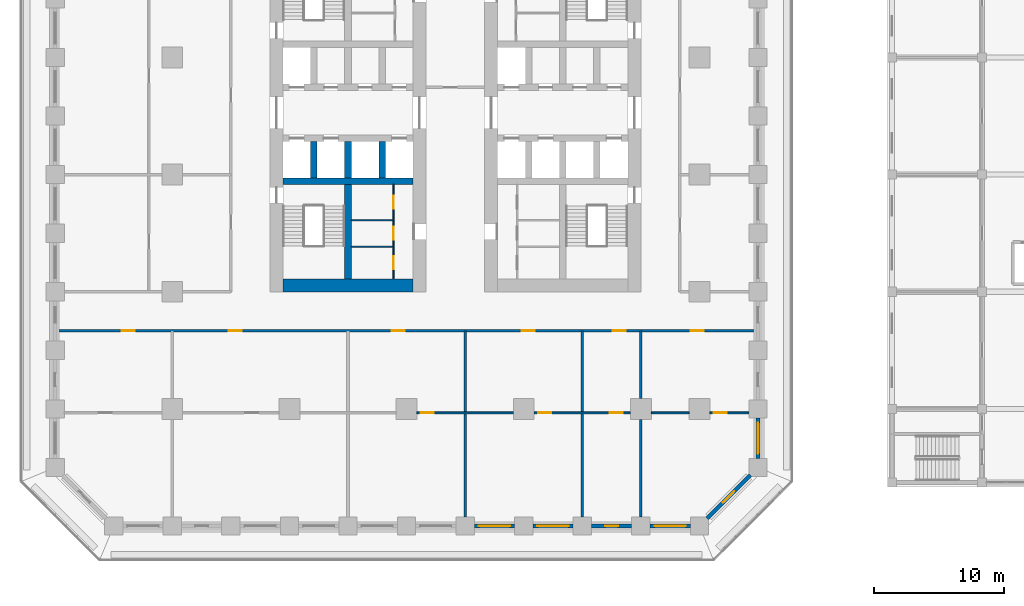
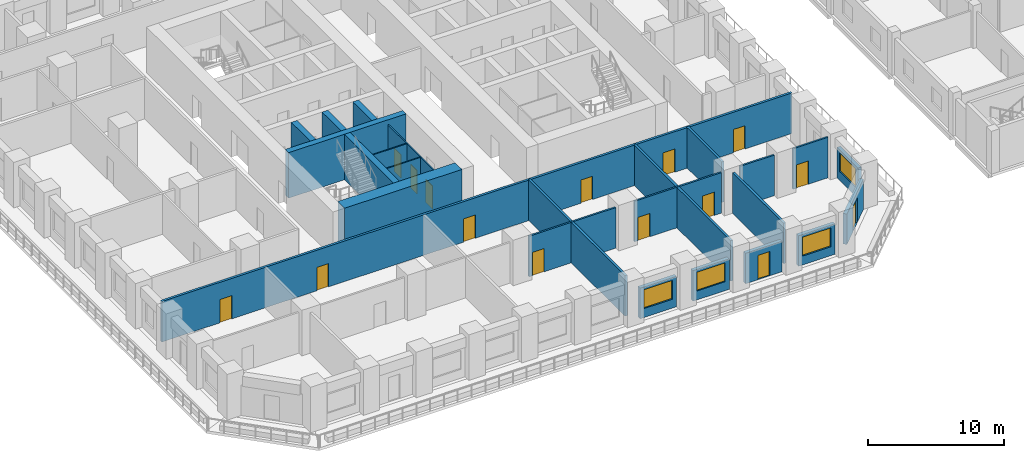
# One storey, part 26 of 42: 26 walls, 15 doors, 4 windows, 19 openings.
"""IFC4 building model written with IfcOpenShell, lengths in metres."""

from ifc_helpers import new_model, si_unit, direction, frame, frame_2d, origin, place, context, subcontext, project, spatial, rectangle, extrude, material, layer, layer_set, type_object, element, fill, save


model = new_model("IFC4")

# Units and contexts
model_context = context("Model", 3, precision=1e-05, world=origin(), true_north=direction((0.0, 1.0)))
body_context = subcontext(model_context, "Body", "Model", "MODEL_VIEW")
ifc_project = project(units=[si_unit("LENGTHUNIT", "METRE"), si_unit("AREAUNIT", "SQUARE_METRE"), si_unit("VOLUMEUNIT", "CUBIC_METRE"), si_unit("PLANEANGLEUNIT", "RADIAN"), si_unit("MASSUNIT", "GRAM", prefix="KILO")], contexts=[model_context])

# Site, building, storey
site_placement = place(None, origin())
site = spatial("IfcSite", under=ifc_project, at=site_placement, CompositionType="ELEMENT")
building_placement = place(site_placement, origin())
building = spatial("IfcBuilding", under=site, at=building_placement, Name="Corbel Stack Research Tower", CompositionType="ELEMENT")
storey_placement = place(building_placement, frame((0.0, 0.0, 11.300048828125)))
storey = spatial("IfcBuildingStorey", under=building, at=storey_placement, Name="L02", CompositionType="ELEMENT", Elevation=11.300048828125)

# Walls
ifc_material_1 = material(Name="Concrete C70/85", Category="concrete")
ifc_layer_1 = layer(ifc_material_1, 1.0)
ifc_layer_set_1 = layer_set([ifc_layer_1], Name="Concrete C70/85")
wall_type_1 = type_object("IfcWallType", Name="CW-1000-70", PredefinedType="SHEAR", material=ifc_layer_set_1)
wall_1_placement = place(storey_placement, frame((-9.5, -8.5, 0.0), z_axis=(0.0, 0.0, 1.0), x_axis=(1.0, 0.0, 0.0)))
element("IfcWall", 1, at=wall_1_placement, inside=storey, type_object=wall_type_1, Name="West core wall, south end L02", PredefinedType="SHEAR", context=body_context, shape_type="SweptSolid", body=[
    extrude(rectangle(XDim=10.0, YDim=1.0, at=frame_2d((5.0, 0.0))), origin(), (0.0, 0.0, 1.0), 4.099853515625),
])
ifc_material_2 = material(Name="Concrete C70/85", Category="concrete")
ifc_layer_2 = layer(ifc_material_2, 0.5)
ifc_layer_set_2 = layer_set([ifc_layer_2], Name="Concrete C70/85")
wall_type_2 = type_object("IfcWallType", Name="CW-500-70", PredefinedType="SHEAR", material=ifc_layer_set_2)
wall_2_placement = place(storey_placement, frame((-9.5, -0.5, 0.0), z_axis=(0.0, 0.0, 1.0), x_axis=(1.0, 0.0, 0.0)))
element("IfcWall", 2, at=wall_2_placement, inside=storey, type_object=wall_type_2, Name="West core wall, south row back L02", PredefinedType="SHEAR", context=body_context, shape_type="SweptSolid", body=[
    extrude(rectangle(XDim=10.0, YDim=0.5, at=frame_2d((5.0, 0.0))), origin(), (0.0, 0.0, 1.0), 4.099853515625),
])
for number, where, z_axis, x_axis, name in (
    (3, (-7.125, -0.25, 0.0), (0.0, 0.0, 1.0), (0.0, 1.0, 0.0), "West core wall, south shaft 1 L02"),
    (4, (-4.5, -0.25, 0.0), (0.0, 0.0, 1.0), (0.0, 1.0, 0.0), "West core wall, south shaft 2 L02"),
    (5, (-1.875, -0.25, 0.0), (0.0, 0.0, 1.0), (0.0, 1.0, 0.0), "West core wall, south shaft 3 L02"),
):
    element("IfcWall", number, at=place(storey_placement, frame(where, z_axis=z_axis, x_axis=x_axis)), inside=storey, type_object=wall_type_2, Name=name, PredefinedType="SHEAR", context=body_context, shape_type="SweptSolid", body=[
        extrude(rectangle(XDim=2.800048828125, YDim=0.5, at=frame_2d((1.39990234375, 0.0))), origin(), (0.0, 0.0, 1.0), 4.099853515625),
    ])
wall_3_placement = place(storey_placement, frame((-4.5, -8.0, 0.0), z_axis=(0.0, 0.0, 1.0), x_axis=(0.0, 1.0, 0.0)))
element("IfcWall", 6, at=wall_3_placement, inside=storey, type_object=wall_type_2, Name="West core wall, south stair and WC L02", PredefinedType="SHEAR", context=body_context, shape_type="SweptSolid", body=[
    extrude(rectangle(XDim=7.25, YDim=0.5, at=frame_2d((3.625, 0.0))), origin(), (0.0, 0.0, 1.0), 4.099853515625),
])

# Wall, opening, door
ifc_material_3 = material(Name="Gypsum board")
ifc_layer_3 = layer(ifc_material_3, 0.10009765625)
ifc_layer_set_3 = layer_set([ifc_layer_3], Name="Gypsum board")
wall_type_3 = type_object("IfcWallType", Name="Core partition 100", PredefinedType="PARTITIONING", material=ifc_layer_set_3)
wall_4_placement = place(storey_placement, frame((-1.0, -8.0, 0.0), z_axis=(0.0, 0.0, 1.0), x_axis=(0.0, 1.0, 0.0)))
wall_4 = element("IfcWall", 7, at=wall_4_placement, inside=storey, type_object=wall_type_3, Name="Core partition W", PredefinedType="PARTITIONING", context=body_context, shape_type="SweptSolid", body=[
    extrude(rectangle(XDim=2.465087890625, YDim=0.10009765625, at=frame_2d((1.232421875, 0.0))), origin(), (0.0, 0.0, 1.0), 3.64990234375),
])
opening_1_placement = place(wall_4_placement, frame((0.732421875, 0.0, 0.0)))
opening_1 = element("IfcOpeningElement", 8, at=opening_1_placement, cuts=wall_4, Name="Opening CR-W12-W2-1000", PredefinedType="OPENING", context=body_context, shape_type="SweptSolid", body=[
    extrude(rectangle(XDim=1.0, YDim=2.10009765625, at=frame_2d((0.5, 1.050048828125))), frame((0.0, 0.06005859375, 0.0), z_axis=(0.0, -1.0, 0.0), x_axis=(1.0, 0.0, 0.0)), (0.0, 0.0, 1.0), 0.1201171875),
])
ifc_material_4 = material(Name="Painted timber door", Category="wood")
door_type_1 = type_object("IfcDoorType", Name="WC door 1000 x 2100 right hand", OperationType="SINGLE_SWING_RIGHT", PredefinedType="DOOR", material=ifc_material_4)
door_1_placement = place(opening_1_placement, origin())
door_1 = element("IfcDoor", 9, at=door_1_placement, inside=storey, type_object=door_type_1, Name="Men's WC door W core", OperationType="SINGLE_SWING_RIGHT", OverallHeight=2.10009765625, OverallWidth=1.0, PredefinedType="DOOR", context=body_context, shape_type="SweptSolid", body=[
    extrude(rectangle(XDim=1.0, YDim=2.10009765625, at=frame_2d((0.5, 1.050048828125))), frame((0.0, 0.02490234375, 0.0), z_axis=(0.0, -1.0, 0.0), x_axis=(1.0, 0.0, 0.0)), (0.0, 0.0, 1.0), 0.050048828125),
])
fill(opening_1, door_1)

wall_5_placement = place(storey_placement, frame((-1.0, -5.534912109375, 0.0), z_axis=(0.0, 0.0, 1.0), x_axis=(0.0, 1.0, 0.0)))
wall_5 = element("IfcWall", 10, at=wall_5_placement, inside=storey, type_object=wall_type_3, Name="Core partition W", PredefinedType="PARTITIONING", context=body_context, shape_type="SweptSolid", body=[
    extrude(rectangle(XDim=2.030029296875, YDim=0.10009765625, at=frame_2d((1.01513671875, 0.0))), origin(), (0.0, 0.0, 1.0), 3.64990234375),
])
opening_2_placement = place(wall_5_placement, frame((0.514892578125, 0.0, 0.0)))
opening_2 = element("IfcOpeningElement", 11, at=opening_2_placement, cuts=wall_5, Name="Opening CR-W12-W3-1000", PredefinedType="OPENING", context=body_context, shape_type="SweptSolid", body=[
    extrude(rectangle(XDim=1.0, YDim=2.10009765625, at=frame_2d((0.5, 1.050048828125))), frame((0.0, 0.06005859375, 0.0), z_axis=(0.0, -1.0, 0.0), x_axis=(1.0, 0.0, 0.0)), (0.0, 0.0, 1.0), 0.1201171875),
])
ifc_material_5 = material(Name="Painted timber door", Category="wood")
door_type_2 = type_object("IfcDoorType", Name="WC door 1000 x 2100 left hand", OperationType="SINGLE_SWING_LEFT", PredefinedType="DOOR", material=ifc_material_5)
door_2_placement = place(opening_2_placement, origin())
door_2 = element("IfcDoor", 12, at=door_2_placement, inside=storey, type_object=door_type_2, Name="Accessible WC door W core", OperationType="SINGLE_SWING_LEFT", OverallHeight=2.10009765625, OverallWidth=1.0, PredefinedType="DOOR", context=body_context, shape_type="SweptSolid", body=[
    extrude(rectangle(XDim=1.0, YDim=2.10009765625, at=frame_2d((0.5, 1.050048828125))), frame((0.0, 0.02490234375, 0.0), z_axis=(0.0, -1.0, 0.0), x_axis=(1.0, 0.0, 0.0)), (0.0, 0.0, 1.0), 0.050048828125),
])
fill(opening_2, door_2)

wall_6_placement = place(storey_placement, frame((-1.0, -3.5048828125, 0.0), z_axis=(0.0, 0.0, 1.0), x_axis=(0.0, 1.0, 0.0)))
wall_6 = element("IfcWall", 13, at=wall_6_placement, inside=storey, type_object=wall_type_3, Name="Core partition W", PredefinedType="PARTITIONING", context=body_context, shape_type="SweptSolid", body=[
    extrude(rectangle(XDim=2.7548828125, YDim=0.10009765625, at=frame_2d((1.37744140625, 0.0))), origin(), (0.0, 0.0, 1.0), 3.64990234375),
])
opening_3_placement = place(wall_6_placement, frame((0.87744140625, 0.0, 0.0)))
opening_3 = element("IfcOpeningElement", 14, at=opening_3_placement, cuts=wall_6, Name="Opening CR-W12-W4-1000", PredefinedType="OPENING", context=body_context, shape_type="SweptSolid", body=[
    extrude(rectangle(XDim=1.0, YDim=2.10009765625, at=frame_2d((0.5, 1.050048828125))), frame((0.0, 0.06005859375, 0.0), z_axis=(0.0, -1.0, 0.0), x_axis=(1.0, 0.0, 0.0)), (0.0, 0.0, 1.0), 0.1201171875),
])
door_3_placement = place(opening_3_placement, origin())
door_3 = element("IfcDoor", 15, at=door_3_placement, inside=storey, type_object=door_type_1, Name="Women's WC door W core", OperationType="SINGLE_SWING_RIGHT", OverallHeight=2.10009765625, OverallWidth=1.0, PredefinedType="DOOR", context=body_context, shape_type="SweptSolid", body=[
    extrude(rectangle(XDim=1.0, YDim=2.10009765625, at=frame_2d((0.5, 1.050048828125))), frame((0.0, 0.02490234375, 0.0), z_axis=(0.0, -1.0, 0.0), x_axis=(1.0, 0.0, 0.0)), (0.0, 0.0, 1.0), 0.050048828125),
])
fill(opening_3, door_3)

# Walls
for number, where, z_axis, x_axis, name in (
    (16, (-4.25, -5.534912109375, 0.0), (0.0, 0.0, 1.0), (1.0, 0.0, 0.0), "Core partition W"),
    (17, (-4.25, -3.5048828125, 0.0), (0.0, 0.0, 1.0), (1.0, 0.0, 0.0), "Core partition W"),
):
    element("IfcWall", number, at=place(storey_placement, frame(where, z_axis=z_axis, x_axis=x_axis)), inside=storey, type_object=wall_type_3, Name=name, PredefinedType="PARTITIONING", context=body_context, shape_type="SweptSolid", body=[
        extrude(rectangle(XDim=3.25, YDim=0.10009765625, at=frame_2d((1.625, 0.0))), origin(), (0.0, 0.0, 1.0), 3.64990234375),
    ])
ifc_material_6 = material(Name="Fire-rated gypsum board partition on steel studs", Category="steel")
ifc_layer_4 = layer(ifc_material_6, 0.199951171875)
ifc_layer_set_4 = layer_set([ifc_layer_4], Name="Fire-rated gypsum board partition on steel studs")
wall_type_4 = type_object("IfcWallType", Name="Fire-rated partition 200 EI 60", PredefinedType="PARTITIONING", material=ifc_layer_set_4)
for number, where, z_axis, x_axis, name in (
    (18, (4.5, -26.300048828125, 0.0), (0.0, 0.0, 1.0), (0.0, 1.0, 0.0), "Partition L02-008"),
    (19, (13.5, -26.300048828125, 0.0), (0.0, 0.0, 1.0), (0.0, 1.0, 0.0), "Partition L02-010"),
):
    element("IfcWall", number, at=place(storey_placement, frame(where, z_axis=z_axis, x_axis=x_axis)), inside=storey, type_object=wall_type_4, Name=name, PredefinedType="PARTITIONING", context=body_context, shape_type="SweptSolid", body=[
        extrude(rectangle(XDim=14.300048828125, YDim=0.199951171875, at=frame_2d((7.14990234375, 0.0))), origin(), (0.0, 0.0, 1.0), 3.64990234375),
    ])
wall_7_placement = place(storey_placement, frame((18.0, -26.300048828125, 0.0), z_axis=(0.0, 0.0, 1.0), x_axis=(0.0, 1.0, 0.0)))
element("IfcWall", 20, at=wall_7_placement, inside=storey, type_object=wall_type_4, Name="Partition L02-012", PredefinedType="PARTITIONING", context=body_context, shape_type="SweptSolid", body=[
    extrude(rectangle(XDim=7.5, YDim=0.199951171875, at=frame_2d((3.75, 0.0))), origin(), (0.0, 0.0, 1.0), 3.64990234375),
])
wall_8_placement = place(storey_placement, frame((18.0, -17.199951171875, 0.0), z_axis=(0.0, 0.0, 1.0), x_axis=(0.0, 1.0, 0.0)))
element("IfcWall", 21, at=wall_8_placement, inside=storey, type_object=wall_type_4, Name="Partition L02-013", PredefinedType="PARTITIONING", context=body_context, shape_type="SweptSolid", body=[
    extrude(rectangle(XDim=5.199951171875, YDim=0.199951171875, at=frame_2d((2.60009765625, 0.0))), origin(), (0.0, 0.0, 1.0), 3.64990234375),
])

# Wall, openings, doors
wall_9_placement = place(storey_placement, frame((26.85009765625, -12.0, 0.0), z_axis=(0.0, 0.0, 1.0), x_axis=(-1.0, 0.0, 0.0)))
wall_9 = element("IfcWall", 22, at=wall_9_placement, inside=storey, type_object=wall_type_4, Name="Partition L02-023", PredefinedType="PARTITIONING", context=body_context, shape_type="SweptSolid", body=[
    extrude(rectangle(XDim=53.7001953125, YDim=0.199951171875, at=frame_2d((26.85009765625, 0.0))), origin(), (0.0, 0.0, 1.0), 3.64990234375),
])
opening_4_placement = place(wall_9_placement, frame((47.75, 0.0, 0.0)))
opening_4 = element("IfcOpeningElement", 23, at=opening_4_placement, cuts=wall_9, Name="Opening B1V0-012", PredefinedType="OPENING", context=body_context, shape_type="SweptSolid", body=[
    extrude(rectangle(XDim=1.0, YDim=2.10009765625, at=frame_2d((0.5, 1.050048828125))), frame((0.0, 0.10986328125, 0.0), z_axis=(0.0, -1.0, 0.0), x_axis=(1.0, 0.0, 0.0)), (0.0, 0.0, 1.0), 0.219970703125),
])
opening_5_placement = place(wall_9_placement, frame((39.5, 0.0, 0.0)))
opening_5 = element("IfcOpeningElement", 24, at=opening_5_placement, cuts=wall_9, Name="Opening B1V0-013", PredefinedType="OPENING", context=body_context, shape_type="SweptSolid", body=[
    extrude(rectangle(XDim=1.0, YDim=2.10009765625, at=frame_2d((0.5, 1.050048828125))), frame((0.0, 0.10986328125, 0.0), z_axis=(0.0, -1.0, 0.0), x_axis=(1.0, 0.0, 0.0)), (0.0, 0.0, 1.0), 0.219970703125),
])
opening_6_placement = place(wall_9_placement, frame((27.0, 0.0, 0.0)))
opening_6 = element("IfcOpeningElement", 25, at=opening_6_placement, cuts=wall_9, Name="Opening B1V0-014", PredefinedType="OPENING", context=body_context, shape_type="SweptSolid", body=[
    extrude(rectangle(XDim=1.0, YDim=2.10009765625, at=frame_2d((0.5, 1.050048828125))), frame((0.0, 0.10986328125, 0.0), z_axis=(0.0, -1.0, 0.0), x_axis=(1.0, 0.0, 0.0)), (0.0, 0.0, 1.0), 0.219970703125),
])
opening_7_placement = place(wall_9_placement, frame((17.0, 0.0, 0.0)))
opening_7 = element("IfcOpeningElement", 26, at=opening_7_placement, cuts=wall_9, Name="Opening B1V0-015", PredefinedType="OPENING", context=body_context, shape_type="SweptSolid", body=[
    extrude(rectangle(XDim=1.0, YDim=2.10009765625, at=frame_2d((0.5, 1.050048828125))), frame((0.0, 0.10986328125, 0.0), z_axis=(0.0, -1.0, 0.0), x_axis=(1.0, 0.0, 0.0)), (0.0, 0.0, 1.0), 0.219970703125),
])
opening_8_placement = place(wall_9_placement, frame((10.0, 0.0, 0.0)))
opening_8 = element("IfcOpeningElement", 27, at=opening_8_placement, cuts=wall_9, Name="Opening B1V0-016", PredefinedType="OPENING", context=body_context, shape_type="SweptSolid", body=[
    extrude(rectangle(XDim=1.0, YDim=2.10009765625, at=frame_2d((0.5, 1.050048828125))), frame((0.0, 0.10986328125, 0.0), z_axis=(0.0, -1.0, 0.0), x_axis=(1.0, 0.0, 0.0)), (0.0, 0.0, 1.0), 0.219970703125),
])
opening_9_placement = place(wall_9_placement, frame((4.0, 0.0, 0.0)))
opening_9 = element("IfcOpeningElement", 28, at=opening_9_placement, cuts=wall_9, Name="Opening B1V0-017", PredefinedType="OPENING", context=body_context, shape_type="SweptSolid", body=[
    extrude(rectangle(XDim=1.0, YDim=2.10009765625, at=frame_2d((0.5, 1.050048828125))), frame((0.0, 0.10986328125, 0.0), z_axis=(0.0, -1.0, 0.0), x_axis=(1.0, 0.0, 0.0)), (0.0, 0.0, 1.0), 0.219970703125),
])
ifc_material_7 = material(Name="Painted steel fire door", Category="steel")
door_type_3 = type_object("IfcDoorType", Name="Fire door FD30S 1000 x 2100", OperationType="NOTDEFINED", PredefinedType="DOOR", material=ifc_material_7)
door_4_placement = place(opening_4_placement, origin())
door_4 = element("IfcDoor", 29, at=door_4_placement, inside=storey, type_object=door_type_3, Name="Door B1V0-012", OperationType="SINGLE_SWING_RIGHT", OverallHeight=2.10009765625, OverallWidth=1.0, PredefinedType="DOOR", context=body_context, shape_type="SweptSolid", body=[
    extrude(rectangle(XDim=1.0, YDim=2.10009765625, at=frame_2d((0.5, 1.050048828125))), frame((0.0, 0.02490234375, 0.0), z_axis=(0.0, -1.0, 0.0), x_axis=(1.0, 0.0, 0.0)), (0.0, 0.0, 1.0), 0.050048828125),
])
fill(opening_4, door_4)
door_5_placement = place(opening_5_placement, origin())
door_5 = element("IfcDoor", 30, at=door_5_placement, inside=storey, type_object=door_type_3, Name="Door B1V0-013", OperationType="SINGLE_SWING_RIGHT", OverallHeight=2.10009765625, OverallWidth=1.0, PredefinedType="DOOR", context=body_context, shape_type="SweptSolid", body=[
    extrude(rectangle(XDim=1.0, YDim=2.10009765625, at=frame_2d((0.5, 1.050048828125))), frame((0.0, 0.02490234375, 0.0), z_axis=(0.0, -1.0, 0.0), x_axis=(1.0, 0.0, 0.0)), (0.0, 0.0, 1.0), 0.050048828125),
])
fill(opening_5, door_5)
door_6_placement = place(opening_6_placement, origin())
door_6 = element("IfcDoor", 31, at=door_6_placement, inside=storey, type_object=door_type_3, Name="Door B1V0-014", OperationType="SINGLE_SWING_RIGHT", OverallHeight=2.10009765625, OverallWidth=1.0, PredefinedType="DOOR", context=body_context, shape_type="SweptSolid", body=[
    extrude(rectangle(XDim=1.0, YDim=2.10009765625, at=frame_2d((0.5, 1.050048828125))), frame((0.0, 0.02490234375, 0.0), z_axis=(0.0, -1.0, 0.0), x_axis=(1.0, 0.0, 0.0)), (0.0, 0.0, 1.0), 0.050048828125),
])
fill(opening_6, door_6)
door_7_placement = place(opening_7_placement, origin())
door_7 = element("IfcDoor", 32, at=door_7_placement, inside=storey, type_object=door_type_3, Name="Door B1V0-015", OperationType="SINGLE_SWING_LEFT", OverallHeight=2.10009765625, OverallWidth=1.0, PredefinedType="DOOR", context=body_context, shape_type="SweptSolid", body=[
    extrude(rectangle(XDim=1.0, YDim=2.10009765625, at=frame_2d((0.5, 1.050048828125))), frame((0.0, 0.02490234375, 0.0), z_axis=(0.0, -1.0, 0.0), x_axis=(1.0, 0.0, 0.0)), (0.0, 0.0, 1.0), 0.050048828125),
])
fill(opening_7, door_7)
door_8_placement = place(opening_8_placement, origin())
door_8 = element("IfcDoor", 33, at=door_8_placement, inside=storey, type_object=door_type_3, Name="Door B1V0-016", OperationType="SINGLE_SWING_LEFT", OverallHeight=2.10009765625, OverallWidth=1.0, PredefinedType="DOOR", context=body_context, shape_type="SweptSolid", body=[
    extrude(rectangle(XDim=1.0, YDim=2.10009765625, at=frame_2d((0.5, 1.050048828125))), frame((0.0, 0.02490234375, 0.0), z_axis=(0.0, -1.0, 0.0), x_axis=(1.0, 0.0, 0.0)), (0.0, 0.0, 1.0), 0.050048828125),
])
fill(opening_8, door_8)
door_9_placement = place(opening_9_placement, origin())
door_9 = element("IfcDoor", 34, at=door_9_placement, inside=storey, type_object=door_type_3, Name="Door B1V0-017", OperationType="SINGLE_SWING_LEFT", OverallHeight=2.10009765625, OverallWidth=1.0, PredefinedType="DOOR", context=body_context, shape_type="SweptSolid", body=[
    extrude(rectangle(XDim=1.0, YDim=2.10009765625, at=frame_2d((0.5, 1.050048828125))), frame((0.0, 0.02490234375, 0.0), z_axis=(0.0, -1.0, 0.0), x_axis=(1.0, 0.0, 0.0)), (0.0, 0.0, 1.0), 0.050048828125),
])
fill(opening_9, door_9)

# Wall, opening, door
ifc_material_8 = material(Name="Gypsum board partition on steel studs", Category="steel")
ifc_layer_5 = layer(ifc_material_8, 0.14990234375)
ifc_layer_set_5 = layer_set([ifc_layer_5], Name="Gypsum board partition on steel studs")
wall_type_5 = type_object("IfcWallType", Name="Partition 150", PredefinedType="PARTITIONING", material=ifc_layer_set_5)
wall_10_placement = place(storey_placement, frame((8.199951171875, -18.300048828125, 0.0), z_axis=(0.0, 0.0, 1.0), x_axis=(-1.0, 0.0, 0.0)))
wall_10 = element("IfcWall", 35, at=wall_10_placement, inside=storey, type_object=wall_type_5, Name="Partition L02-019", PredefinedType="PARTITIONING", context=body_context, shape_type="SweptSolid", body=[
    extrude(rectangle(XDim=7.39990234375, YDim=0.14990234375, at=frame_2d((3.699951171875, 0.0))), origin(), (0.0, 0.0, 1.0), 3.64990234375),
])
opening_10_placement = place(wall_10_placement, frame((6.10009765625, 0.0, 0.0)))
opening_10 = element("IfcOpeningElement", 36, at=opening_10_placement, cuts=wall_10, Name="Opening B1V0-006", PredefinedType="OPENING", context=body_context, shape_type="SweptSolid", body=[
    extrude(rectangle(XDim=1.0, YDim=2.10009765625, at=frame_2d((0.5, 1.050048828125))), frame((0.0, 0.0849609375, 0.0), z_axis=(0.0, -1.0, 0.0), x_axis=(1.0, 0.0, 0.0)), (0.0, 0.0, 1.0), 0.169921875),
])
ifc_material_9 = material(Name="Painted timber door", Category="wood")
door_type_4 = type_object("IfcDoorType", Name="Single door 1000 x 2100", OperationType="NOTDEFINED", PredefinedType="DOOR", material=ifc_material_9)
door_10_placement = place(opening_10_placement, origin())
door_10 = element("IfcDoor", 37, at=door_10_placement, inside=storey, type_object=door_type_4, Name="Door B1V0-006", OperationType="SINGLE_SWING_RIGHT", OverallHeight=2.10009765625, OverallWidth=1.0, PredefinedType="DOOR", context=body_context, shape_type="SweptSolid", body=[
    extrude(rectangle(XDim=1.0, YDim=2.10009765625, at=frame_2d((0.5, 1.050048828125))), frame((0.0, 0.02490234375, 0.0), z_axis=(0.0, -1.0, 0.0), x_axis=(1.0, 0.0, 0.0)), (0.0, 0.0, 1.0), 0.050048828125),
])
fill(opening_10, door_10)

# Wall, openings, doors
wall_11_placement = place(storey_placement, frame((17.199951171875, -18.300048828125, 0.0), z_axis=(0.0, 0.0, 1.0), x_axis=(-1.0, 0.0, 0.0)))
wall_11 = element("IfcWall", 38, at=wall_11_placement, inside=storey, type_object=wall_type_5, Name="Partition L02-020", PredefinedType="PARTITIONING", context=body_context, shape_type="SweptSolid", body=[
    extrude(rectangle(XDim=7.39990234375, YDim=0.14990234375, at=frame_2d((3.699951171875, 0.0))), origin(), (0.0, 0.0, 1.0), 3.64990234375),
])
opening_11_placement = place(wall_11_placement, frame((6.10009765625, 0.0, 0.0)))
opening_11 = element("IfcOpeningElement", 39, at=opening_11_placement, cuts=wall_11, Name="Opening B1V0-007", PredefinedType="OPENING", context=body_context, shape_type="SweptSolid", body=[
    extrude(rectangle(XDim=1.0, YDim=2.10009765625, at=frame_2d((0.5, 1.050048828125))), frame((0.0, 0.0849609375, 0.0), z_axis=(0.0, -1.0, 0.0), x_axis=(1.0, 0.0, 0.0)), (0.0, 0.0, 1.0), 0.169921875),
])
opening_12_placement = place(wall_11_placement, frame((0.60009765625, 0.0, 0.0)))
opening_12 = element("IfcOpeningElement", 40, at=opening_12_placement, cuts=wall_11, Name="Opening B1V0-008", PredefinedType="OPENING", context=body_context, shape_type="SweptSolid", body=[
    extrude(rectangle(XDim=1.0, YDim=2.10009765625, at=frame_2d((0.5, 1.050048828125))), frame((0.0, 0.0849609375, 0.0), z_axis=(0.0, -1.0, 0.0), x_axis=(1.0, 0.0, 0.0)), (0.0, 0.0, 1.0), 0.169921875),
])
door_11_placement = place(opening_11_placement, origin())
door_11 = element("IfcDoor", 41, at=door_11_placement, inside=storey, type_object=door_type_4, Name="Door B1V0-007", OperationType="SINGLE_SWING_RIGHT", OverallHeight=2.10009765625, OverallWidth=1.0, PredefinedType="DOOR", context=body_context, shape_type="SweptSolid", body=[
    extrude(rectangle(XDim=1.0, YDim=2.10009765625, at=frame_2d((0.5, 1.050048828125))), frame((0.0, 0.02490234375, 0.0), z_axis=(0.0, -1.0, 0.0), x_axis=(1.0, 0.0, 0.0)), (0.0, 0.0, 1.0), 0.050048828125),
])
fill(opening_11, door_11)
door_12_placement = place(opening_12_placement, origin())
door_12 = element("IfcDoor", 42, at=door_12_placement, inside=storey, type_object=door_type_4, Name="Door B1V0-008", OperationType="SINGLE_SWING_LEFT", OverallHeight=2.10009765625, OverallWidth=1.0, PredefinedType="DOOR", context=body_context, shape_type="SweptSolid", body=[
    extrude(rectangle(XDim=1.0, YDim=2.10009765625, at=frame_2d((0.5, 1.050048828125))), frame((0.0, 0.02490234375, 0.0), z_axis=(0.0, -1.0, 0.0), x_axis=(1.0, 0.0, 0.0)), (0.0, 0.0, 1.0), 0.050048828125),
])
fill(opening_12, door_12)

# Wall
wall_12_placement = place(storey_placement, frame((18.800048828125, -18.300048828125, 0.0), z_axis=(0.0, 0.0, 1.0), x_axis=(1.0, 0.0, 0.0)))
element("IfcWall", 43, at=wall_12_placement, inside=storey, type_object=wall_type_5, Name="Partition L02-021", PredefinedType="PARTITIONING", context=body_context, shape_type="SweptSolid", body=[
    extrude(rectangle(XDim=2.89990234375, YDim=0.14990234375, at=frame_2d((1.449951171875, 0.0))), origin(), (0.0, 0.0, 1.0), 3.64990234375),
])

# Wall, opening, door
wall_13_placement = place(storey_placement, frame((26.300048828125, -18.300048828125, 0.0), z_axis=(0.0, 0.0, 1.0), x_axis=(-1.0, 0.0, 0.0)))
wall_13 = element("IfcWall", 44, at=wall_13_placement, inside=storey, type_object=wall_type_5, Name="Partition L02-022", PredefinedType="PARTITIONING", context=body_context, shape_type="SweptSolid", body=[
    extrude(rectangle(XDim=3.0, YDim=0.14990234375, at=frame_2d((1.5, 0.0))), origin(), (0.0, 0.0, 1.0), 3.64990234375),
])
opening_13_placement = place(wall_13_placement, frame((1.699951171875, 0.0, 0.0)))
opening_13 = element("IfcOpeningElement", 45, at=opening_13_placement, cuts=wall_13, Name="Opening B1V0-009", PredefinedType="OPENING", context=body_context, shape_type="SweptSolid", body=[
    extrude(rectangle(XDim=1.0, YDim=2.10009765625, at=frame_2d((0.5, 1.050048828125))), frame((0.0, 0.0849609375, 0.0), z_axis=(0.0, -1.0, 0.0), x_axis=(1.0, 0.0, 0.0)), (0.0, 0.0, 1.0), 0.169921875),
])
door_13_placement = place(opening_13_placement, origin())
door_13 = element("IfcDoor", 46, at=door_13_placement, inside=storey, type_object=door_type_4, Name="Door B1V0-009", OperationType="SINGLE_SWING_RIGHT", OverallHeight=2.10009765625, OverallWidth=1.0, PredefinedType="DOOR", context=body_context, shape_type="SweptSolid", body=[
    extrude(rectangle(XDim=1.0, YDim=2.10009765625, at=frame_2d((0.5, 1.050048828125))), frame((0.0, 0.02490234375, 0.0), z_axis=(0.0, -1.0, 0.0), x_axis=(1.0, 0.0, 0.0)), (0.0, 0.0, 1.0), 0.050048828125),
])
fill(opening_13, door_13)

# Wall, opening, window
ifc_material_10 = material(Name="Concrete C45/55", Category="concrete")
ifc_layer_6 = layer(ifc_material_10, 0.300048828125)
ifc_layer_set_6 = layer_set([ifc_layer_6], Name="Concrete C45/55")
wall_type_6 = type_object("IfcWallType", Name="Terracotta-faced concrete wall 300", PredefinedType="SOLIDWALL", material=ifc_layer_set_6)
wall_14_placement = place(storey_placement, frame((8.300048828125, -27.0, 0.0), z_axis=(0.0, 0.0, 1.0), x_axis=(-1.0, 0.0, 0.0)))
wall_14 = element("IfcWall", 47, at=wall_14_placement, inside=storey, type_object=wall_type_6, Name="Facade wall L02 S07", PredefinedType="SOLIDWALL", context=body_context, shape_type="SweptSolid", body=[
    extrude(rectangle(XDim=3.10009765625, YDim=0.300048828125, at=frame_2d((1.550048828125, 0.0))), origin(), (0.0, 0.0, 1.0), 2.75),
])
opening_14_placement = place(wall_14_placement, frame((0.35009765625, 0.0, 0.800048828125)))
opening_14 = element("IfcOpeningElement", 48, at=opening_14_placement, cuts=wall_14, Name="Opening W1", PredefinedType="OPENING", context=body_context, shape_type="SweptSolid", body=[
    extrude(rectangle(XDim=2.39990234375, YDim=1.699951171875, at=frame_2d((1.199951171875, 0.85009765625))), frame((0.0, 0.159912109375, 0.0), z_axis=(0.0, -1.0, 0.0), x_axis=(1.0, 0.0, 0.0)), (0.0, 0.0, 1.0), 0.320068359375),
])
ifc_material_11 = material(Name="Aluminium frame, clear double glazing", Category="aluminium")
window_type = type_object("IfcWindowType", Name="Window W1 2400 x 1700", PartitioningType="SINGLE_PANEL", PredefinedType="WINDOW", material=ifc_material_11)
window_1_placement = place(opening_14_placement, origin())
window_1 = element("IfcWindow", 49, at=window_1_placement, inside=storey, type_object=window_type, Name="Window W1 L02 S07", OverallHeight=1.699951171875, OverallWidth=2.39990234375, PartitioningType="SINGLE_PANEL", PredefinedType="WINDOW", context=body_context, shape_type="SweptSolid", body=[
    extrude(rectangle(XDim=2.39990234375, YDim=1.699951171875, at=frame_2d((1.199951171875, 0.85009765625))), frame((0.0, 0.030029296875, 0.0), z_axis=(0.0, -1.0, 0.0), x_axis=(1.0, 0.0, 0.0)), (0.0, 0.0, 1.0), 0.06005859375),
])
fill(opening_14, window_1)

wall_15_placement = place(storey_placement, frame((12.800048828125, -27.0, 0.0), z_axis=(0.0, 0.0, 1.0), x_axis=(-1.0, 0.0, 0.0)))
wall_15 = element("IfcWall", 50, at=wall_15_placement, inside=storey, type_object=wall_type_6, Name="Facade wall L02 S08", PredefinedType="SOLIDWALL", context=body_context, shape_type="SweptSolid", body=[
    extrude(rectangle(XDim=3.10009765625, YDim=0.300048828125, at=frame_2d((1.550048828125, 0.0))), origin(), (0.0, 0.0, 1.0), 2.75),
])
opening_15_placement = place(wall_15_placement, frame((0.35009765625, 0.0, 0.800048828125)))
opening_15 = element("IfcOpeningElement", 51, at=opening_15_placement, cuts=wall_15, Name="Opening W1", PredefinedType="OPENING", context=body_context, shape_type="SweptSolid", body=[
    extrude(rectangle(XDim=2.39990234375, YDim=1.699951171875, at=frame_2d((1.199951171875, 0.85009765625))), frame((0.0, 0.159912109375, 0.0), z_axis=(0.0, -1.0, 0.0), x_axis=(1.0, 0.0, 0.0)), (0.0, 0.0, 1.0), 0.320068359375),
])
window_2_placement = place(opening_15_placement, origin())
window_2 = element("IfcWindow", 52, at=window_2_placement, inside=storey, type_object=window_type, Name="Window W1 L02 S08", OverallHeight=1.699951171875, OverallWidth=2.39990234375, PartitioningType="SINGLE_PANEL", PredefinedType="WINDOW", context=body_context, shape_type="SweptSolid", body=[
    extrude(rectangle(XDim=2.39990234375, YDim=1.699951171875, at=frame_2d((1.199951171875, 0.85009765625))), frame((0.0, 0.030029296875, 0.0), z_axis=(0.0, -1.0, 0.0), x_axis=(1.0, 0.0, 0.0)), (0.0, 0.0, 1.0), 0.06005859375),
])
fill(opening_15, window_2)

# Wall, opening, door
wall_16_placement = place(storey_placement, frame((17.300048828125, -27.0, 0.0), z_axis=(0.0, 0.0, 1.0), x_axis=(-1.0, 0.0, 0.0)))
wall_16 = element("IfcWall", 53, at=wall_16_placement, inside=storey, type_object=wall_type_6, Name="Facade wall L02 S09", PredefinedType="SOLIDWALL", context=body_context, shape_type="SweptSolid", body=[
    extrude(rectangle(XDim=3.10009765625, YDim=0.300048828125, at=frame_2d((1.550048828125, 0.0))), origin(), (0.0, 0.0, 1.0), 2.75),
])
opening_16_placement = place(wall_16_placement, frame((1.050048828125, 0.0, 0.0)))
opening_16 = element("IfcOpeningElement", 54, at=opening_16_placement, cuts=wall_16, Name="Opening L02-B02", PredefinedType="OPENING", context=body_context, shape_type="SweptSolid", body=[
    extrude(rectangle(XDim=1.0, YDim=2.199951171875, at=frame_2d((0.5, 1.10009765625))), frame((0.0, 0.159912109375, 0.0), z_axis=(0.0, -1.0, 0.0), x_axis=(1.0, 0.0, 0.0)), (0.0, 0.0, 1.0), 0.320068359375),
])
ifc_material_12 = material(Name="Aluminium frame, clear double glazing", Category="aluminium")
door_type_5 = type_object("IfcDoorType", Name="Balcony door BD1 1000 x 2200", OperationType="NOTDEFINED", PredefinedType="DOOR", material=ifc_material_12)
door_14_placement = place(opening_16_placement, origin())
door_14 = element("IfcDoor", 55, at=door_14_placement, inside=storey, type_object=door_type_5, Name="Balcony door L02-B02", OperationType="SINGLE_SWING_LEFT", OverallHeight=2.199951171875, OverallWidth=1.0, PredefinedType="DOOR", context=body_context, shape_type="SweptSolid", body=[
    extrude(rectangle(XDim=1.0, YDim=2.199951171875, at=frame_2d((0.5, 1.10009765625))), frame((0.0, 0.02490234375, 0.0), z_axis=(0.0, -1.0, 0.0), x_axis=(1.0, 0.0, 0.0)), (0.0, 0.0, 1.0), 0.050048828125),
])
fill(opening_16, door_14)

# Wall, opening, window
wall_17_placement = place(storey_placement, frame((21.800048828125, -27.0, 0.0), z_axis=(0.0, 0.0, 1.0), x_axis=(-1.0, 0.0, 0.0)))
wall_17 = element("IfcWall", 56, at=wall_17_placement, inside=storey, type_object=wall_type_6, Name="Facade wall L02 S10", PredefinedType="SOLIDWALL", context=body_context, shape_type="SweptSolid", body=[
    extrude(rectangle(XDim=3.10009765625, YDim=0.300048828125, at=frame_2d((1.550048828125, 0.0))), origin(), (0.0, 0.0, 1.0), 2.75),
])
opening_17_placement = place(wall_17_placement, frame((0.35009765625, 0.0, 0.800048828125)))
opening_17 = element("IfcOpeningElement", 57, at=opening_17_placement, cuts=wall_17, Name="Opening W1", PredefinedType="OPENING", context=body_context, shape_type="SweptSolid", body=[
    extrude(rectangle(XDim=2.39990234375, YDim=1.699951171875, at=frame_2d((1.199951171875, 0.85009765625))), frame((0.0, 0.159912109375, 0.0), z_axis=(0.0, -1.0, 0.0), x_axis=(1.0, 0.0, 0.0)), (0.0, 0.0, 1.0), 0.320068359375),
])
window_3_placement = place(opening_17_placement, origin())
window_3 = element("IfcWindow", 58, at=window_3_placement, inside=storey, type_object=window_type, Name="Window W1 L02 S10", OverallHeight=1.699951171875, OverallWidth=2.39990234375, PartitioningType="SINGLE_PANEL", PredefinedType="WINDOW", context=body_context, shape_type="SweptSolid", body=[
    extrude(rectangle(XDim=2.39990234375, YDim=1.699951171875, at=frame_2d((1.199951171875, 0.85009765625))), frame((0.0, 0.030029296875, 0.0), z_axis=(0.0, -1.0, 0.0), x_axis=(1.0, 0.0, 0.0)), (0.0, 0.0, 1.0), 0.06005859375),
])
fill(opening_17, window_3)

# Wall, opening, door
wall_18_placement = place(storey_placement, frame((26.406005859375, -23.093994140625, 0.0), z_axis=(0.0, 0.0, 1.0), x_axis=(-0.707106781187, -0.707106781187, 0.0)))
wall_18 = element("IfcWall", 59, at=wall_18_placement, inside=storey, type_object=wall_type_6, Name="Facade wall L02 SE01", PredefinedType="SOLIDWALL", context=body_context, shape_type="SweptSolid", body=[
    extrude(rectangle(XDim=4.683837890625, YDim=0.300048828125, at=frame_2d((2.341796875, 0.0))), origin(), (0.0, 0.0, 1.0), 2.75),
])
opening_18_placement = place(wall_18_placement, frame((1.741943359375, 0.0, 0.0)))
opening_18 = element("IfcOpeningElement", 60, at=opening_18_placement, cuts=wall_18, Name="Opening L02-B03", PredefinedType="OPENING", context=body_context, shape_type="SweptSolid", body=[
    extrude(rectangle(XDim=1.199951171875, YDim=2.199951171875, at=frame_2d((0.60009765625, 1.10009765625))), frame((0.0, 0.159912109375, 0.0), z_axis=(0.0, -1.0, 0.0), x_axis=(1.0, 0.0, 0.0)), (0.0, 0.0, 1.0), 0.320068359375),
])
ifc_material_13 = material(Name="Aluminium frame, clear double glazing", Category="aluminium")
door_type_6 = type_object("IfcDoorType", Name="Balcony door BD2 1200 x 2200", OperationType="NOTDEFINED", PredefinedType="DOOR", material=ifc_material_13)
door_15_placement = place(opening_18_placement, origin())
door_15 = element("IfcDoor", 61, at=door_15_placement, inside=storey, type_object=door_type_6, Name="Balcony door L02-B03", OperationType="SINGLE_SWING_LEFT", OverallHeight=2.199951171875, OverallWidth=1.199951171875, PredefinedType="DOOR", context=body_context, shape_type="SweptSolid", body=[
    extrude(rectangle(XDim=1.199951171875, YDim=2.199951171875, at=frame_2d((0.60009765625, 1.10009765625))), frame((0.0, 0.02490234375, 0.0), z_axis=(0.0, -1.0, 0.0), x_axis=(1.0, 0.0, 0.0)), (0.0, 0.0, 1.0), 0.050048828125),
])
fill(opening_18, door_15)

# Wall, opening, window
wall_19_placement = place(storey_placement, frame((27.0, -18.699951171875, 0.0), z_axis=(0.0, 0.0, 1.0), x_axis=(0.0, -1.0, 0.0)))
wall_19 = element("IfcWall", 62, at=wall_19_placement, inside=storey, type_object=wall_type_6, Name="Facade wall L02 E01", PredefinedType="SOLIDWALL", context=body_context, shape_type="SweptSolid", body=[
    extrude(rectangle(XDim=3.10009765625, YDim=0.300048828125, at=frame_2d((1.550048828125, 0.0))), origin(), (0.0, 0.0, 1.0), 2.75),
])
opening_19_placement = place(wall_19_placement, frame((0.35009765625, 0.0, 0.800048828125)))
opening_19 = element("IfcOpeningElement", 63, at=opening_19_placement, cuts=wall_19, Name="Opening W1", PredefinedType="OPENING", context=body_context, shape_type="SweptSolid", body=[
    extrude(rectangle(XDim=2.39990234375, YDim=1.699951171875, at=frame_2d((1.199951171875, 0.85009765625))), frame((0.0, 0.159912109375, 0.0), z_axis=(0.0, -1.0, 0.0), x_axis=(1.0, 0.0, 0.0)), (0.0, 0.0, 1.0), 0.320068359375),
])
window_4_placement = place(opening_19_placement, origin())
window_4 = element("IfcWindow", 64, at=window_4_placement, inside=storey, type_object=window_type, Name="Window W1 L02 E01", OverallHeight=1.699951171875, OverallWidth=2.39990234375, PartitioningType="SINGLE_PANEL", PredefinedType="WINDOW", context=body_context, shape_type="SweptSolid", body=[
    extrude(rectangle(XDim=2.39990234375, YDim=1.699951171875, at=frame_2d((1.199951171875, 0.85009765625))), frame((0.0, 0.030029296875, 0.0), z_axis=(0.0, -1.0, 0.0), x_axis=(1.0, 0.0, 0.0)), (0.0, 0.0, 1.0), 0.06005859375),
])
fill(opening_19, window_4)

save(model, "model.ifc")
